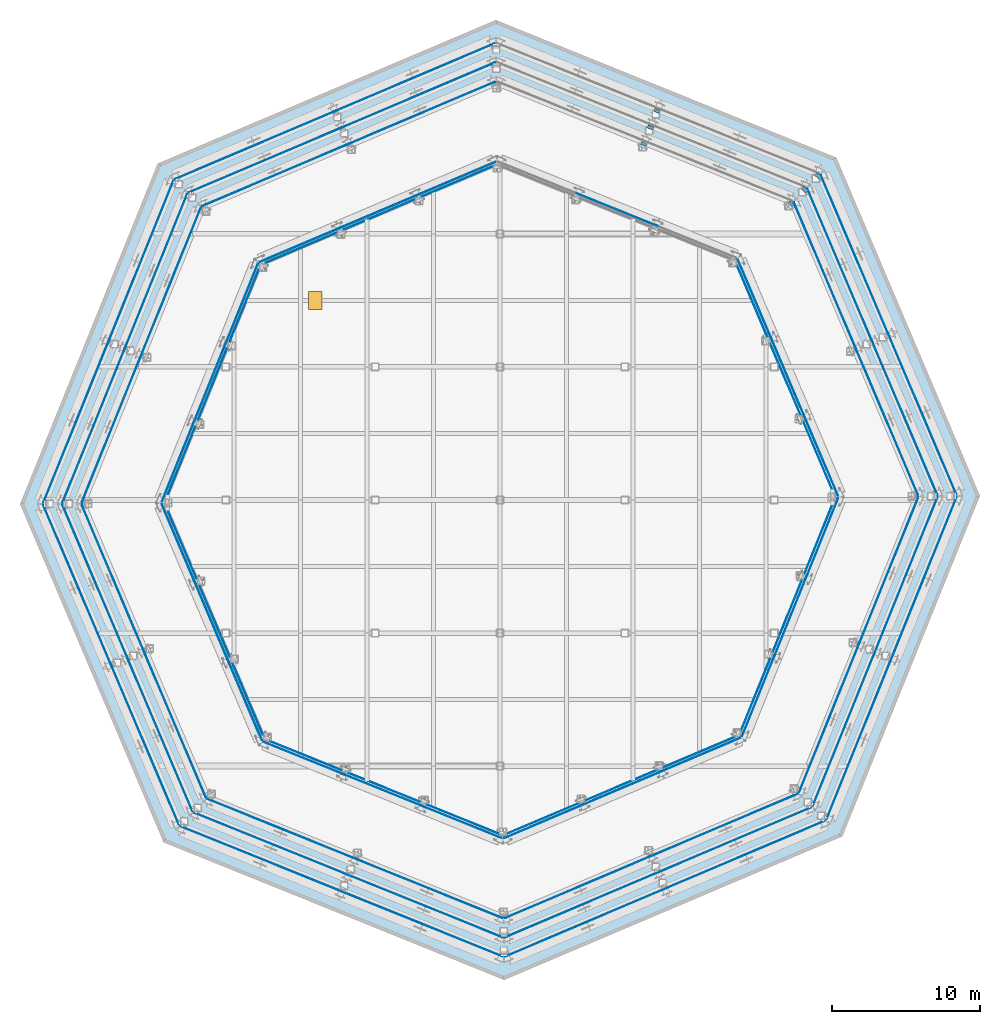
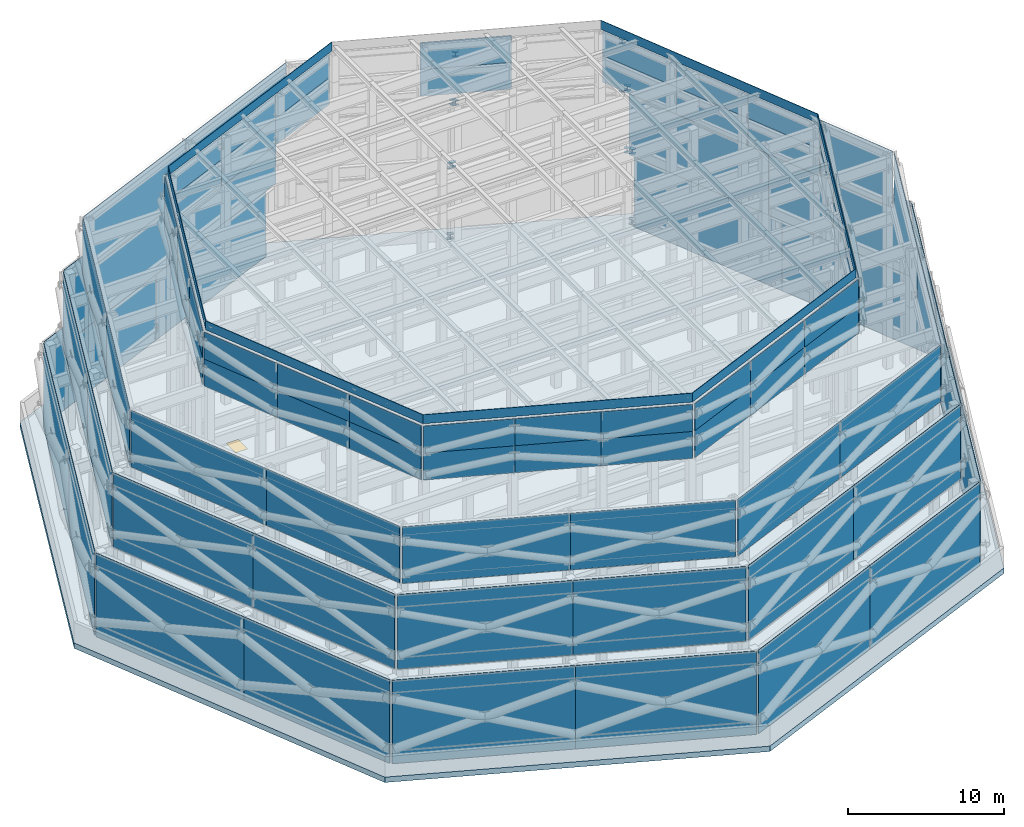
"""IFC4 building model written with IfcOpenShell, lengths in metres."""

from ifc_helpers import new_model, si_unit, direction, frame, origin, origin_2d, place, context, subcontext, project, spatial, polyline, rectangle, i_section, outline, extrude, material, layer, layer_set, material_profile, profile_set, type_object, element, fill, save


model = new_model("IFC4")

# Units and contexts
model_context = context("Model", 3, precision=1e-05, world=origin(), true_north=direction((0.0, 1.0)))
body_context = subcontext(model_context, "Body", "Model", "MODEL_VIEW")
ifc_project = project(units=[si_unit("LENGTHUNIT", "METRE"), si_unit("AREAUNIT", "SQUARE_METRE"), si_unit("VOLUMEUNIT", "CUBIC_METRE"), si_unit("PLANEANGLEUNIT", "RADIAN"), si_unit("MASSUNIT", "GRAM", prefix="KILO")], contexts=[model_context])

# Site, building, storey
site_placement = place(None, origin())
site = spatial("IfcSite", under=ifc_project, at=site_placement, CompositionType="ELEMENT")
building_placement = place(site_placement, origin())
building = spatial("IfcBuilding", under=site, at=building_placement, Name="Orlundy Tower", CompositionType="ELEMENT")
storey_1_placement = place(building_placement, frame((0.0, 0.0, 304.300048828125)))
storey_1 = spatial("IfcBuildingStorey", under=building, at=storey_1_placement, Name="Roof", CompositionType="ELEMENT", Elevation=304.300048828125)

# Members
ifc_material_1 = material(Name="Steel ASTM A992 Gr 50", Category="steel")
ifc_material_profile = material_profile(ifc_material_1, i_section(OverallWidth=0.39892578125, OverallDepth=0.393310546875, WebThickness=0.022705078125, FlangeThickness=0.03662109375, at=origin_2d()), Name="W14X193")
ifc_profile_set = profile_set([ifc_material_profile], Name="Steel ASTM A992 Gr 50")
member_type = type_object("IfcMemberType", Name="CROWN FRAME strut W14X193", PredefinedType="STRUT", material=ifc_profile_set)
member_1_placement = place(storey_1_placement, frame((21.442138671875, 21.81982421875, 0.533935546875), z_axis=(0.700562244291, 0.713591298906, 0.0), x_axis=(-0.713591298906, 0.700562244291, 0.0)))
element("IfcMember", 1, at=member_1_placement, inside=storey_1, type_object=member_type, Name="CROWN FRAME foot ring connector 1-01", PredefinedType="STRUT", context=body_context, shape_type="SweptSolid", body=[
    extrude(i_section(OverallWidth=0.39892578125, OverallDepth=0.393310546875, WebThickness=0.022705078125, FlangeThickness=0.03662109375, at=origin_2d()), origin(), (0.0, 0.0, 1.0), 0.24365234375),
])
member_2_placement = place(storey_1_placement, frame((10.591064453125, 26.21435546875, 0.533935546875), z_axis=(0.375100021763, 0.926984343813, 0.0), x_axis=(-0.926984343813, 0.375100021763, 0.0)))
element("IfcMember", 2, at=member_2_placement, inside=storey_1, type_object=member_type, Name="CROWN FRAME foot ring connector 1-02", PredefinedType="STRUT", context=body_context, shape_type="SweptSolid", body=[
    extrude(i_section(OverallWidth=0.39892578125, OverallDepth=0.393310546875, WebThickness=0.022705078125, FlangeThickness=0.03662109375, at=origin_2d()), origin(), (0.0, 0.0, 1.0), 0.21533203125),
])
member_3_placement = place(storey_1_placement, frame((21.442138671875, 21.81982421875, 6.0263671875), z_axis=(0.700654118253, 0.713501090802, 0.0), x_axis=(-0.713501090802, 0.700654118253, 0.0)))
element("IfcMember", 3, at=member_3_placement, inside=storey_1, type_object=member_type, Name="CROWN FRAME head ring connector 1-01", PredefinedType="STRUT", context=body_context, shape_type="SweptSolid", body=[
    extrude(i_section(OverallWidth=0.39892578125, OverallDepth=0.393310546875, WebThickness=0.022705078125, FlangeThickness=0.03662109375, at=origin_2d()), origin(), (0.0, 0.0, 1.0), 0.2470703125),
])
member_4_placement = place(storey_1_placement, frame((10.591064453125, 26.21435546875, 6.0263671875), z_axis=(0.375238451195, 0.92692831694, 0.0), x_axis=(-0.92692831694, 0.375238451195, 0.0)))
element("IfcMember", 4, at=member_4_placement, inside=storey_1, type_object=member_type, Name="CROWN FRAME head ring connector 1-02", PredefinedType="STRUT", context=body_context, shape_type="SweptSolid", body=[
    extrude(i_section(OverallWidth=0.39892578125, OverallDepth=0.393310546875, WebThickness=0.022705078125, FlangeThickness=0.03662109375, at=origin_2d()), origin(), (0.0, 0.0, 1.0), 0.218505859375),
])
member_5_placement = place(storey_1_placement, frame((20.53173828125, 20.8935546875, 6.9736328125), z_axis=(0.701148331308, 0.713015439878, 0.0), x_axis=(-0.713015439878, 0.701148331308, 0.0)))
element("IfcMember", 5, at=member_5_placement, inside=storey_1, type_object=member_type, Name="CROWN FRAME foot ring connector 2-01", PredefinedType="STRUT", context=body_context, shape_type="SweptSolid", body=[
    extrude(i_section(OverallWidth=0.39892578125, OverallDepth=0.393310546875, WebThickness=0.022705078125, FlangeThickness=0.03662109375, at=origin_2d()), origin(), (0.0, 0.0, 1.0), 0.246826171875),
])
member_6_placement = place(storey_1_placement, frame((10.1416015625, 25.101806640625, 6.9736328125), z_axis=(0.374666452033, 0.927159667868, 0.0), x_axis=(-0.927159667868, 0.374666452033, 0.0)))
element("IfcMember", 6, at=member_6_placement, inside=storey_1, type_object=member_type, Name="CROWN FRAME foot ring connector 2-02", PredefinedType="STRUT", context=body_context, shape_type="SweptSolid", body=[
    extrude(i_section(OverallWidth=0.39892578125, OverallDepth=0.393310546875, WebThickness=0.022705078125, FlangeThickness=0.03662109375, at=origin_2d()), origin(), (0.0, 0.0, 1.0), 0.21826171875),
])
member_7_placement = place(storey_1_placement, frame((20.53173828125, 20.8935546875, 11.826416015625), z_axis=(0.701148331308, 0.713015439878, 0.0), x_axis=(-0.713015439878, 0.701148331308, 0.0)))
element("IfcMember", 7, at=member_7_placement, inside=storey_1, type_object=member_type, Name="CROWN FRAME head ring connector 2-01", PredefinedType="STRUT", context=body_context, shape_type="SweptSolid", body=[
    extrude(i_section(OverallWidth=0.39892578125, OverallDepth=0.393310546875, WebThickness=0.022705078125, FlangeThickness=0.03662109375, at=origin_2d()), origin(), (0.0, 0.0, 1.0), 0.246826171875),
])
member_8_placement = place(storey_1_placement, frame((10.1416015625, 25.101806640625, 11.826416015625), z_axis=(0.374666452033, 0.927159667868, 0.0), x_axis=(-0.927159667868, 0.374666452033, 0.0)))
element("IfcMember", 8, at=member_8_placement, inside=storey_1, type_object=member_type, Name="CROWN FRAME head ring connector 2-02", PredefinedType="STRUT", context=body_context, shape_type="SweptSolid", body=[
    extrude(i_section(OverallWidth=0.39892578125, OverallDepth=0.393310546875, WebThickness=0.022705078125, FlangeThickness=0.03662109375, at=origin_2d()), origin(), (0.0, 0.0, 1.0), 0.21826171875),
])
member_9_placement = place(storey_1_placement, frame((19.621337890625, 19.967041015625, 12.617431640625), z_axis=(0.700855095703, 0.713303676443, 0.0), x_axis=(-0.713303676443, 0.700855095703, 0.0)))
element("IfcMember", 9, at=member_9_placement, inside=storey_1, type_object=member_type, Name="CROWN FRAME foot ring connector 3-01", PredefinedType="STRUT", context=body_context, shape_type="SweptSolid", body=[
    extrude(i_section(OverallWidth=0.39892578125, OverallDepth=0.393310546875, WebThickness=0.022705078125, FlangeThickness=0.03662109375, at=origin_2d()), origin(), (0.0, 0.0, 1.0), 0.196044921875),
])
member_10_placement = place(storey_1_placement, frame((9.692138671875, 23.989013671875, 12.617431640625), z_axis=(0.374086731751, 0.927393722821, 0.0), x_axis=(-0.927393722821, 0.374086731751, 0.0)))
element("IfcMember", 10, at=member_10_placement, inside=storey_1, type_object=member_type, Name="CROWN FRAME foot ring connector 3-02", PredefinedType="STRUT", context=body_context, shape_type="SweptSolid", body=[
    extrude(i_section(OverallWidth=0.39892578125, OverallDepth=0.393310546875, WebThickness=0.022705078125, FlangeThickness=0.03662109375, at=origin_2d()), origin(), (0.0, 0.0, 1.0), 0.171630859375),
])
member_11_placement = place(storey_1_placement, frame((19.621337890625, 19.967041015625, 16.382568359375), z_axis=(0.700855095703, 0.713303676443, 0.0), x_axis=(-0.713303676443, 0.700855095703, 0.0)))
element("IfcMember", 11, at=member_11_placement, inside=storey_1, type_object=member_type, Name="CROWN FRAME head ring connector 3-01", PredefinedType="STRUT", context=body_context, shape_type="SweptSolid", body=[
    extrude(i_section(OverallWidth=0.39892578125, OverallDepth=0.393310546875, WebThickness=0.022705078125, FlangeThickness=0.03662109375, at=origin_2d()), origin(), (0.0, 0.0, 1.0), 0.196044921875),
])
member_12_placement = place(storey_1_placement, frame((9.692138671875, 23.989013671875, 16.382568359375), z_axis=(0.374086731751, 0.927393722821, 0.0), x_axis=(-0.927393722821, 0.374086731751, 0.0)))
element("IfcMember", 12, at=member_12_placement, inside=storey_1, type_object=member_type, Name="CROWN FRAME head ring connector 3-02", PredefinedType="STRUT", context=body_context, shape_type="SweptSolid", body=[
    extrude(i_section(OverallWidth=0.39892578125, OverallDepth=0.393310546875, WebThickness=0.022705078125, FlangeThickness=0.03662109375, at=origin_2d()), origin(), (0.0, 0.0, 1.0), 0.171630859375),
])

# Plates
ifc_material_2 = material(Name="Fritted glass screen", Category="glass")
ifc_layer_1 = layer(ifc_material_2, 0.0400390625)
ifc_layer_set_1 = layer_set([ifc_layer_1], Name="CROWN SCREEN PANEL")
plate_type = type_object("IfcPlateType", Name="CROWN SCREEN PANEL", PredefinedType="SHEET", material=ifc_layer_set_1)
for number, where, z_axis, x_axis, name in (
    (13, (-5.797607421875, 28.576416015625, 0.0), (0.0, 0.0, 1.0), (-0.920505975946, -0.39072848405, 0.0), "Crown screen"),
    (14, (-16.529052734375, 24.02099609375, 0.0), (0.0, 0.0, 1.0), (-0.920501581328, -0.390738837043, 0.0), "Crown screen"),
):
    element("IfcPlate", number, at=place(storey_1_placement, frame(where, z_axis=z_axis, x_axis=x_axis)), inside=storey_1, type_object=plate_type, Name=name, PredefinedType="SHEET", context=body_context, shape_type="SweptSolid", body=[
        extrude(rectangle(XDim=11.828369140625, YDim=0.0400390625, at=origin_2d()), origin(), (0.0, 0.0, 1.0), 6.5),
    ])
plate_1_placement = place(storey_1_placement, frame((-24.30615234375, 16.107177734375, 0.0), z_axis=(0.0, 0.0, 1.0), x_axis=(-0.374602029729, -0.927185698403, 0.0)))
element("IfcPlate", 15, at=plate_1_placement, inside=storey_1, type_object=plate_type, Name="Crown screen", PredefinedType="SHEET", context=body_context, shape_type="SweptSolid", body=[
    extrude(rectangle(XDim=11.82861328125, YDim=0.0400390625, at=origin_2d()), origin(), (0.0, 0.0, 1.0), 6.5),
])
for number, where, z_axis, x_axis, name in (
    (16, (-28.67333984375, 5.297607421875, 0.0), (0.0, 0.0, 1.0), (-0.374597635058, -0.927187473928, 0.0), "Crown screen"),
    (17, (-28.576416015625, -5.797607421875, 0.0), (0.0, 0.0, 1.0), (0.39072848405, -0.920505975946, 0.0), "Crown screen"),
    (18, (-24.02099609375, -16.529052734375, 0.0), (0.0, 0.0, 1.0), (0.390738837043, -0.920501581328, 0.0), "Crown screen"),
):
    element("IfcPlate", number, at=place(storey_1_placement, frame(where, z_axis=z_axis, x_axis=x_axis)), inside=storey_1, type_object=plate_type, Name=name, PredefinedType="SHEET", context=body_context, shape_type="SweptSolid", body=[
        extrude(rectangle(XDim=11.828369140625, YDim=0.0400390625, at=origin_2d()), origin(), (0.0, 0.0, 1.0), 6.5),
    ])
plate_2_placement = place(storey_1_placement, frame((-16.107177734375, -24.30615234375, 0.0), z_axis=(0.0, 0.0, 1.0), x_axis=(0.927185698403, -0.374602029729, 0.0)))
element("IfcPlate", 19, at=plate_2_placement, inside=storey_1, type_object=plate_type, Name="Crown screen", PredefinedType="SHEET", context=body_context, shape_type="SweptSolid", body=[
    extrude(rectangle(XDim=11.82861328125, YDim=0.0400390625, at=origin_2d()), origin(), (0.0, 0.0, 1.0), 6.5),
])
for number, where, z_axis, x_axis, name in (
    (20, (-5.297607421875, -28.67333984375, 0.0), (0.0, 0.0, 1.0), (0.927187473928, -0.374597635058, 0.0), "Crown screen"),
    (21, (5.797607421875, -28.576416015625, 0.0), (0.0, 0.0, 1.0), (0.920505975946, 0.39072848405, 0.0), "Crown screen"),
    (22, (16.529052734375, -24.02099609375, 0.0), (0.0, 0.0, 1.0), (0.920501581328, 0.390738837043, 0.0), "Crown screen"),
):
    element("IfcPlate", number, at=place(storey_1_placement, frame(where, z_axis=z_axis, x_axis=x_axis)), inside=storey_1, type_object=plate_type, Name=name, PredefinedType="SHEET", context=body_context, shape_type="SweptSolid", body=[
        extrude(rectangle(XDim=11.828369140625, YDim=0.0400390625, at=origin_2d()), origin(), (0.0, 0.0, 1.0), 6.5),
    ])
plate_3_placement = place(storey_1_placement, frame((24.30615234375, -16.107177734375, 0.0), z_axis=(0.0, 0.0, 1.0), x_axis=(0.374602029729, 0.927185698403, 0.0)))
element("IfcPlate", 23, at=plate_3_placement, inside=storey_1, type_object=plate_type, Name="Crown screen", PredefinedType="SHEET", context=body_context, shape_type="SweptSolid", body=[
    extrude(rectangle(XDim=11.82861328125, YDim=0.0400390625, at=origin_2d()), origin(), (0.0, 0.0, 1.0), 6.5),
])
for number, where, z_axis, x_axis, name in (
    (24, (28.67333984375, -5.297607421875, 0.0), (0.0, 0.0, 1.0), (0.374597635058, 0.927187473928, 0.0), "Crown screen"),
    (25, (28.576416015625, 5.797607421875, 0.0), (0.0, 0.0, 1.0), (-0.39072848405, 0.920505975946, 0.0), "Crown screen"),
    (26, (24.02099609375, 16.529052734375, 0.0), (0.0, 0.0, 1.0), (-0.390738837043, 0.920501581328, 0.0), "Crown screen"),
):
    element("IfcPlate", number, at=place(storey_1_placement, frame(where, z_axis=z_axis, x_axis=x_axis)), inside=storey_1, type_object=plate_type, Name=name, PredefinedType="SHEET", context=body_context, shape_type="SweptSolid", body=[
        extrude(rectangle(XDim=11.828369140625, YDim=0.0400390625, at=origin_2d()), origin(), (0.0, 0.0, 1.0), 6.5),
    ])
for number, where, z_axis, x_axis, name in (
    (27, (-5.557373046875, 27.374755859375, 6.5), (0.0, 0.0, 1.0), (-0.920504747408, -0.390731378313, 0.0), "Crown screen"),
    (28, (-15.83154296875, 23.013671875, 6.5), (0.0, 0.0, 1.0), (-0.920501524936, -0.390738969891, 0.0), "Crown screen"),
    (29, (-23.28662109375, 15.42724609375, 6.5), (0.0, 0.0, 1.0), (-0.374603034755, -0.927185292351, 0.0), "Crown screen"),
    (30, (-27.467529296875, 5.078369140625, 6.5), (0.0, 0.0, 1.0), (-0.374595332534, -0.927188404179, 0.0), "Crown screen"),
    (31, (-27.374755859375, -5.557373046875, 6.5), (0.0, 0.0, 1.0), (0.390731378313, -0.920504747408, 0.0), "Crown screen"),
    (32, (-23.013671875, -15.83154296875, 6.5), (0.0, 0.0, 1.0), (0.390738969891, -0.920501524936, 0.0), "Crown screen"),
    (33, (-15.42724609375, -23.28662109375, 6.5), (0.0, 0.0, 1.0), (0.927185292351, -0.374603034755, 0.0), "Crown screen"),
    (34, (-5.078369140625, -27.467529296875, 6.5), (0.0, 0.0, 1.0), (0.927188404179, -0.374595332534, 0.0), "Crown screen"),
    (35, (5.557373046875, -27.374755859375, 6.5), (0.0, 0.0, 1.0), (0.920504747408, 0.390731378313, 0.0), "Crown screen"),
    (36, (15.83154296875, -23.013671875, 6.5), (0.0, 0.0, 1.0), (0.920501524936, 0.390738969891, 0.0), "Crown screen"),
    (37, (23.28662109375, -15.42724609375, 6.5), (0.0, 0.0, 1.0), (0.374603034755, 0.927185292351, 0.0), "Crown screen"),
    (38, (27.467529296875, -5.078369140625, 6.5), (0.0, 0.0, 1.0), (0.374595332534, 0.927188404179, 0.0), "Crown screen"),
    (39, (27.374755859375, 5.557373046875, 6.5), (0.0, 0.0, 1.0), (-0.390731378313, 0.920504747408, 0.0), "Crown screen"),
    (40, (23.013671875, 15.83154296875, 6.5), (0.0, 0.0, 1.0), (-0.390738969891, 0.920501524936, 0.0), "Crown screen"),
):
    element("IfcPlate", number, at=place(storey_1_placement, frame(where, z_axis=z_axis, x_axis=x_axis)), inside=storey_1, type_object=plate_type, Name=name, PredefinedType="SHEET", context=body_context, shape_type="SweptSolid", body=[
        extrude(rectangle(XDim=11.331298828125, YDim=0.0400390625, at=origin_2d()), origin(), (0.0, 0.0, 1.0), 5.800048828125),
    ])
for number, where, z_axis, x_axis, name in (
    (41, (-5.3173828125, 26.173095703125, 12.300048828125), (0.0, 0.0, 1.0), (-0.92050483594, -0.390731169746, 0.0), "Crown screen"),
    (42, (-15.1337890625, 22.006103515625, 12.300048828125), (0.0, 0.0, 1.0), (-0.920501463286, -0.390739115125, 0.0), "Crown screen"),
):
    element("IfcPlate", number, at=place(storey_1_placement, frame(where, z_axis=z_axis, x_axis=x_axis)), inside=storey_1, type_object=plate_type, Name=name, PredefinedType="SHEET", context=body_context, shape_type="SweptSolid", body=[
        extrude(rectangle(XDim=10.83447265625, YDim=0.0400390625, at=origin_2d()), origin(), (0.0, 0.0, 1.0), 4.39990234375),
    ])
for number, where, z_axis, x_axis, name in (
    (43, (-22.26708984375, 14.747314453125, 12.300048828125), (0.0, 0.0, 1.0), (-0.374596072252, -0.927188105324, 0.0), "Crown screen"),
    (44, (-26.261962890625, 4.859375, 12.300048828125), (0.0, 0.0, 1.0), (-0.374604133478, -0.927184848443, 0.0), "Crown screen"),
):
    element("IfcPlate", number, at=place(storey_1_placement, frame(where, z_axis=z_axis, x_axis=x_axis)), inside=storey_1, type_object=plate_type, Name=name, PredefinedType="SHEET", context=body_context, shape_type="SweptSolid", body=[
        extrude(rectangle(XDim=10.834228515625, YDim=0.0400390625, at=origin_2d()), origin(), (0.0, 0.0, 1.0), 4.39990234375),
    ])
for number, where, z_axis, x_axis, name in (
    (45, (-26.173095703125, -5.3173828125, 12.300048828125), (0.0, 0.0, 1.0), (0.390731169746, -0.92050483594, 0.0), "Crown screen"),
    (46, (-22.006103515625, -15.1337890625, 12.300048828125), (0.0, 0.0, 1.0), (0.390739115125, -0.920501463286, 0.0), "Crown screen"),
):
    element("IfcPlate", number, at=place(storey_1_placement, frame(where, z_axis=z_axis, x_axis=x_axis)), inside=storey_1, type_object=plate_type, Name=name, PredefinedType="SHEET", context=body_context, shape_type="SweptSolid", body=[
        extrude(rectangle(XDim=10.83447265625, YDim=0.0400390625, at=origin_2d()), origin(), (0.0, 0.0, 1.0), 4.39990234375),
    ])
for number, where, z_axis, x_axis, name in (
    (47, (-14.747314453125, -22.26708984375, 12.300048828125), (0.0, 0.0, 1.0), (0.927188105324, -0.374596072252, 0.0), "Crown screen"),
    (48, (-4.859375, -26.261962890625, 12.300048828125), (0.0, 0.0, 1.0), (0.927184848443, -0.374604133478, 0.0), "Crown screen"),
):
    element("IfcPlate", number, at=place(storey_1_placement, frame(where, z_axis=z_axis, x_axis=x_axis)), inside=storey_1, type_object=plate_type, Name=name, PredefinedType="SHEET", context=body_context, shape_type="SweptSolid", body=[
        extrude(rectangle(XDim=10.834228515625, YDim=0.0400390625, at=origin_2d()), origin(), (0.0, 0.0, 1.0), 4.39990234375),
    ])
for number, where, z_axis, x_axis, name in (
    (49, (5.3173828125, -26.173095703125, 12.300048828125), (0.0, 0.0, 1.0), (0.92050483594, 0.390731169746, 0.0), "Crown screen"),
    (50, (15.1337890625, -22.006103515625, 12.300048828125), (0.0, 0.0, 1.0), (0.920501463286, 0.390739115125, 0.0), "Crown screen"),
):
    element("IfcPlate", number, at=place(storey_1_placement, frame(where, z_axis=z_axis, x_axis=x_axis)), inside=storey_1, type_object=plate_type, Name=name, PredefinedType="SHEET", context=body_context, shape_type="SweptSolid", body=[
        extrude(rectangle(XDim=10.83447265625, YDim=0.0400390625, at=origin_2d()), origin(), (0.0, 0.0, 1.0), 4.39990234375),
    ])
for number, where, z_axis, x_axis, name in (
    (51, (22.26708984375, -14.747314453125, 12.300048828125), (0.0, 0.0, 1.0), (0.374596072252, 0.927188105324, 0.0), "Crown screen"),
    (52, (26.261962890625, -4.859375, 12.300048828125), (0.0, 0.0, 1.0), (0.374604133478, 0.927184848443, 0.0), "Crown screen"),
):
    element("IfcPlate", number, at=place(storey_1_placement, frame(where, z_axis=z_axis, x_axis=x_axis)), inside=storey_1, type_object=plate_type, Name=name, PredefinedType="SHEET", context=body_context, shape_type="SweptSolid", body=[
        extrude(rectangle(XDim=10.834228515625, YDim=0.0400390625, at=origin_2d()), origin(), (0.0, 0.0, 1.0), 4.39990234375),
    ])
for number, where, z_axis, x_axis, name in (
    (53, (26.173095703125, 5.3173828125, 12.300048828125), (0.0, 0.0, 1.0), (-0.390731169746, 0.92050483594, 0.0), "Crown screen"),
    (54, (22.006103515625, 15.1337890625, 12.300048828125), (0.0, 0.0, 1.0), (-0.390739115125, 0.920501463286, 0.0), "Crown screen"),
):
    element("IfcPlate", number, at=place(storey_1_placement, frame(where, z_axis=z_axis, x_axis=x_axis)), inside=storey_1, type_object=plate_type, Name=name, PredefinedType="SHEET", context=body_context, shape_type="SweptSolid", body=[
        extrude(rectangle(XDim=10.83447265625, YDim=0.0400390625, at=origin_2d()), origin(), (0.0, 0.0, 1.0), 4.39990234375),
    ])
for number, where, z_axis, x_axis, name in (
    (55, (7.93017578125, 19.62841796875, 16.699951171875), (0.0, 0.0, 1.0), (-0.927187862276, 0.374596673835, 0.0), "Crown screen"),
    (56, (-2.99853515625, 21.7255859375, 16.699951171875), (0.0, 0.0, 1.0), (-0.92050017584, -0.390742148069, 0.0), "Crown screen"),
    (57, (-8.27197265625, 19.487060546875, 16.699951171875), (0.0, 0.0, 1.0), (-0.92050017584, -0.390742148069, 0.0), "Crown screen"),
    (58, (-13.545166015625, 17.24853515625, 16.699951171875), (0.0, 0.0, 1.0), (-0.92050017584, -0.390742148069, 0.0), "Crown screen"),
    (59, (-17.482421875, 13.241943359375, 16.699951171875), (0.0, 0.0, 1.0), (-0.37461167985, -0.927181799498, 0.0), "Crown screen"),
    (60, (-19.62841796875, 7.93017578125, 16.699951171875), (0.0, 0.0, 1.0), (-0.374596673835, -0.927187862276, 0.0), "Crown screen"),
    (61, (-21.774658203125, 2.61865234375, 16.699951171875), (0.0, 0.0, 1.0), (-0.37461167985, -0.927181799498, 0.0), "Crown screen"),
    (62, (-21.7255859375, -2.99853515625, 16.699951171875), (0.0, 0.0, 1.0), (0.390742148069, -0.92050017584, 0.0), "Crown screen"),
    (63, (-19.487060546875, -8.27197265625, 16.699951171875), (0.0, 0.0, 1.0), (0.390742148069, -0.92050017584, 0.0), "Crown screen"),
    (64, (-17.24853515625, -13.545166015625, 16.699951171875), (0.0, 0.0, 1.0), (0.390742148069, -0.92050017584, 0.0), "Crown screen"),
    (65, (-13.241943359375, -17.482421875, 16.699951171875), (0.0, 0.0, 1.0), (0.927181799498, -0.37461167985, 0.0), "Crown screen"),
    (66, (-7.93017578125, -19.62841796875, 16.699951171875), (0.0, 0.0, 1.0), (0.927187862276, -0.374596673835, 0.0), "Crown screen"),
    (67, (-2.61865234375, -21.774658203125, 16.699951171875), (0.0, 0.0, 1.0), (0.927181799498, -0.37461167985, 0.0), "Crown screen"),
    (68, (2.99853515625, -21.7255859375, 16.699951171875), (0.0, 0.0, 1.0), (0.92050017584, 0.390742148069, 0.0), "Crown screen"),
    (69, (8.27197265625, -19.487060546875, 16.699951171875), (0.0, 0.0, 1.0), (0.92050017584, 0.390742148069, 0.0), "Crown screen"),
    (70, (13.545166015625, -17.24853515625, 16.699951171875), (0.0, 0.0, 1.0), (0.92050017584, 0.390742148069, 0.0), "Crown screen"),
    (71, (17.482421875, -13.241943359375, 16.699951171875), (0.0, 0.0, 1.0), (0.37461167985, 0.927181799498, 0.0), "Crown screen"),
    (72, (19.62841796875, -7.93017578125, 16.699951171875), (0.0, 0.0, 1.0), (0.374596673835, 0.927187862276, 0.0), "Crown screen"),
    (73, (21.774658203125, -2.61865234375, 16.699951171875), (0.0, 0.0, 1.0), (0.37461167985, 0.927181799498, 0.0), "Crown screen"),
    (74, (21.7255859375, 2.99853515625, 16.699951171875), (0.0, 0.0, 1.0), (-0.390742148069, 0.92050017584, 0.0), "Crown screen"),
    (75, (19.487060546875, 8.27197265625, 16.699951171875), (0.0, 0.0, 1.0), (-0.390742148069, 0.92050017584, 0.0), "Crown screen"),
    (76, (17.24853515625, 13.545166015625, 16.699951171875), (0.0, 0.0, 1.0), (-0.390742148069, 0.92050017584, 0.0), "Crown screen"),
    (77, (7.93017578125, 19.62841796875, 18.7998046875), (0.0, 0.0, 1.0), (-0.927187862276, 0.374596673835, 0.0), "Crown screen"),
    (78, (-2.99853515625, 21.7255859375, 18.7998046875), (0.0, 0.0, 1.0), (-0.92050017584, -0.390742148069, 0.0), "Crown screen"),
    (79, (-8.27197265625, 19.487060546875, 18.7998046875), (0.0, 0.0, 1.0), (-0.92050017584, -0.390742148069, 0.0), "Crown screen"),
    (80, (-13.545166015625, 17.24853515625, 18.7998046875), (0.0, 0.0, 1.0), (-0.92050017584, -0.390742148069, 0.0), "Crown screen"),
    (81, (-17.482421875, 13.241943359375, 18.7998046875), (0.0, 0.0, 1.0), (-0.37461167985, -0.927181799498, 0.0), "Crown screen"),
    (82, (-19.62841796875, 7.93017578125, 18.7998046875), (0.0, 0.0, 1.0), (-0.374596673835, -0.927187862276, 0.0), "Crown screen"),
    (83, (-21.774658203125, 2.61865234375, 18.7998046875), (0.0, 0.0, 1.0), (-0.37461167985, -0.927181799498, 0.0), "Crown screen"),
    (84, (-21.7255859375, -2.99853515625, 18.7998046875), (0.0, 0.0, 1.0), (0.390742148069, -0.92050017584, 0.0), "Crown screen"),
    (85, (-19.487060546875, -8.27197265625, 18.7998046875), (0.0, 0.0, 1.0), (0.390742148069, -0.92050017584, 0.0), "Crown screen"),
    (86, (-17.24853515625, -13.545166015625, 18.7998046875), (0.0, 0.0, 1.0), (0.390742148069, -0.92050017584, 0.0), "Crown screen"),
    (87, (-13.241943359375, -17.482421875, 18.7998046875), (0.0, 0.0, 1.0), (0.927181799498, -0.37461167985, 0.0), "Crown screen"),
    (88, (-7.93017578125, -19.62841796875, 18.7998046875), (0.0, 0.0, 1.0), (0.927187862276, -0.374596673835, 0.0), "Crown screen"),
    (89, (-2.61865234375, -21.774658203125, 18.7998046875), (0.0, 0.0, 1.0), (0.927181799498, -0.37461167985, 0.0), "Crown screen"),
    (90, (2.99853515625, -21.7255859375, 18.7998046875), (0.0, 0.0, 1.0), (0.92050017584, 0.390742148069, 0.0), "Crown screen"),
    (91, (8.27197265625, -19.487060546875, 18.7998046875), (0.0, 0.0, 1.0), (0.92050017584, 0.390742148069, 0.0), "Crown screen"),
    (92, (13.545166015625, -17.24853515625, 18.7998046875), (0.0, 0.0, 1.0), (0.92050017584, 0.390742148069, 0.0), "Crown screen"),
    (93, (17.482421875, -13.241943359375, 18.7998046875), (0.0, 0.0, 1.0), (0.37461167985, 0.927181799498, 0.0), "Crown screen"),
    (94, (19.62841796875, -7.93017578125, 18.7998046875), (0.0, 0.0, 1.0), (0.374596673835, 0.927187862276, 0.0), "Crown screen"),
    (95, (21.774658203125, -2.61865234375, 18.7998046875), (0.0, 0.0, 1.0), (0.37461167985, 0.927181799498, 0.0), "Crown screen"),
    (96, (21.7255859375, 2.99853515625, 18.7998046875), (0.0, 0.0, 1.0), (-0.390742148069, 0.92050017584, 0.0), "Crown screen"),
    (97, (19.487060546875, 8.27197265625, 18.7998046875), (0.0, 0.0, 1.0), (-0.390742148069, 0.92050017584, 0.0), "Crown screen"),
    (98, (17.24853515625, 13.545166015625, 18.7998046875), (0.0, 0.0, 1.0), (-0.390742148069, 0.92050017584, 0.0), "Crown screen"),
):
    element("IfcPlate", number, at=place(storey_1_placement, frame(where, z_axis=z_axis, x_axis=x_axis)), inside=storey_1, type_object=plate_type, Name=name, PredefinedType="SHEET", context=body_context, shape_type="SweptSolid", body=[
        extrude(rectangle(XDim=5.89892578125, YDim=0.0400390625, at=origin_2d()), origin(), (0.0, 0.0, 1.0), 2.10009765625),
    ])
plate_4_placement = place(storey_1_placement, frame((-22.71533203125, -0.198486328125, 20.949951171875), z_axis=(-0.920500677329, -0.390740966673, 0.0), x_axis=(0.390740966673, -0.920500677329, 0.0)))
element("IfcPlate", 99, at=plate_4_placement, inside=storey_1, type_object=plate_type, Name="Crown screen", PredefinedType="SHEET", context=body_context, shape_type="SweptSolid", body=[
    extrude(outline(polyline([(0.0, 0.0), (17.386088510479553, 0.0), (17.386088510479553, 0.699951171875), (0.0, 0.699951171875), (0.0, 0.0)])), origin(), (0.0, 0.0, -1.0), 0.0400390625),
])
plate_5_placement = place(storey_1_placement, frame((-15.921875, -16.202392578125, 20.949951171875), z_axis=(-0.374601189381, -0.92718603792, 0.0), x_axis=(0.92718603792, -0.374601189381, 0.0)))
element("IfcPlate", 100, at=plate_5_placement, inside=storey_1, type_object=plate_type, Name="Crown screen", PredefinedType="SHEET", context=body_context, shape_type="SweptSolid", body=[
    extrude(outline(polyline([(0.0, 0.0), (17.386328815174878, 0.0), (17.386328815174878, 0.699951171875), (0.0, 0.699951171875), (0.0, 0.0)])), origin(), (0.0, 0.0, -1.0), 0.0400390625),
])
plate_6_placement = place(storey_1_placement, frame((0.198486328125, -22.71533203125, 20.949951171875), z_axis=(0.390740966673, -0.920500677329, 0.0), x_axis=(0.920500677329, 0.390740966673, 0.0)))
element("IfcPlate", 101, at=plate_6_placement, inside=storey_1, type_object=plate_type, Name="Crown screen", PredefinedType="SHEET", context=body_context, shape_type="SweptSolid", body=[
    extrude(outline(polyline([(0.0, 0.0), (17.386088510479553, 0.0), (17.386088510479553, 0.699951171875), (0.0, 0.699951171875), (0.0, 0.0)])), origin(), (0.0, 0.0, -1.0), 0.0400390625),
])
plate_7_placement = place(storey_1_placement, frame((16.202392578125, -15.921875, 20.949951171875), z_axis=(0.92718603792, -0.374601189381, 0.0), x_axis=(0.374601189381, 0.92718603792, 0.0)))
element("IfcPlate", 102, at=plate_7_placement, inside=storey_1, type_object=plate_type, Name="Crown screen", PredefinedType="SHEET", context=body_context, shape_type="SweptSolid", body=[
    extrude(outline(polyline([(0.0, 0.0), (17.386328815174878, 0.0), (17.386328815174878, 0.699951171875), (0.0, 0.699951171875), (0.0, 0.0)])), origin(), (0.0, 0.0, -1.0), 0.0400390625),
])
for number, where, z_axis, x_axis, name in (
    (103, (22.71533203125, 0.198486328125, 20.949951171875), (0.920500677329, 0.390740966673, 0.0), (-0.390740966673, 0.920500677329, 0.0), "Crown screen"),
    (104, (-0.198486328125, 22.71533203125, 20.949951171875), (-0.390740966673, 0.920500677329, 0.0), (-0.920500677329, -0.390740966673, 0.0), "Crown screen"),
):
    element("IfcPlate", number, at=place(storey_1_placement, frame(where, z_axis=z_axis, x_axis=x_axis)), inside=storey_1, type_object=plate_type, Name=name, PredefinedType="SHEET", context=body_context, shape_type="SweptSolid", body=[
        extrude(outline(polyline([(0.0, 0.0), (17.386088510479553, 0.0), (17.386088510479553, 0.699951171875), (0.0, 0.699951171875), (0.0, 0.0)])), origin(), (0.0, 0.0, -1.0), 0.0400390625),
    ])
plate_8_placement = place(storey_1_placement, frame((-16.202392578125, 15.921875, 20.949951171875), z_axis=(-0.92718603792, 0.374601189381, 0.0), x_axis=(-0.374601189381, -0.92718603792, 0.0)))
element("IfcPlate", 105, at=plate_8_placement, inside=storey_1, type_object=plate_type, Name="Crown screen", PredefinedType="SHEET", context=body_context, shape_type="SweptSolid", body=[
    extrude(outline(polyline([(0.0, 0.0), (17.386328815174878, 0.0), (17.386328815174878, 0.699951171875), (0.0, 0.699951171875), (0.0, 0.0)])), origin(), (0.0, 0.0, -1.0), 0.0400390625),
])

# Slab, opening
ifc_material_3 = material(Name="Concrete C45/55", Category="concrete")
ifc_layer_2 = layer(ifc_material_3, 0.419921875)
ifc_layer_set_2 = layer_set([ifc_layer_2], Name="ROOF SLAB 420 C45/55")
slab_type = type_object("IfcSlabType", Name="ROOF SLAB 420 C45/55", PredefinedType="ROOF", material=ifc_layer_set_2)
slab_placement = place(storey_1_placement, frame((0.0, 0.0, -0.420166015625)))
slab = element("IfcSlab", 106, at=slab_placement, inside=storey_1, type_object=slab_type, Name="Roof slab", PredefinedType="ROOF", context=body_context, shape_type="SweptSolid", body=[
    extrude(outline(polyline([(22.760009765625, 23.160888671875), (32.470947265625, 0.282958984375), (23.160888671875, -22.760009765625), (0.282958984375, -32.470947265625), (-22.760009765625, -23.160888671875), (-32.470947265625, -0.282958984375), (-23.160888671875, 22.760009765625), (-0.282958984375, 32.470947265625), (22.760009765625, 23.160888671875)])), origin(), (0.0, 0.0, 1.0), 0.420166015625),
])
opening_placement = place(slab_placement, frame((-12.5, 13.5, 0.0)))
opening = element("IfcOpeningElement", 107, at=opening_placement, cuts=slab, Name="Opening 62941", PredefinedType="OPENING", context=body_context, shape_type="SweptSolid", body=[
    extrude(rectangle(XDim=0.89990234375, YDim=1.199951171875, at=origin_2d()), origin(), (0.0, 0.0, 1.0), 0.420166015625),
])

# Storey
storey_2_placement = place(building_placement, frame((0.0, 0.0, 299.89990234375)))
storey_2 = spatial("IfcBuildingStorey", under=building, at=storey_2_placement, Name="L80", CompositionType="ELEMENT", Elevation=299.89990234375)

# Door
ifc_material_4 = material(Name="Galvanised steel painted bronze", Category="steel")
door_type = type_object("IfcDoorType", Name="RH1 roof hatch 900x1200", OperationType="NOTDEFINED", PredefinedType="TRAPDOOR", material=ifc_material_4)
door_placement = place(opening_placement, origin())
door = element("IfcDoor", 108, at=door_placement, inside=storey_2, type_object=door_type, Name="Roof access hatch", OperationType="SINGLE_SWING_LEFT", OverallHeight=1.199951171875, OverallWidth=0.89990234375, PredefinedType="TRAPDOOR", context=body_context, shape_type="SweptSolid", body=[
    extrude(rectangle(XDim=0.89990234375, YDim=1.199951171875, at=origin_2d()), origin(), (0.0, 0.0, 1.0), 0.420166015625),
])

fill(opening, door)

save(model, "model.ifc")
